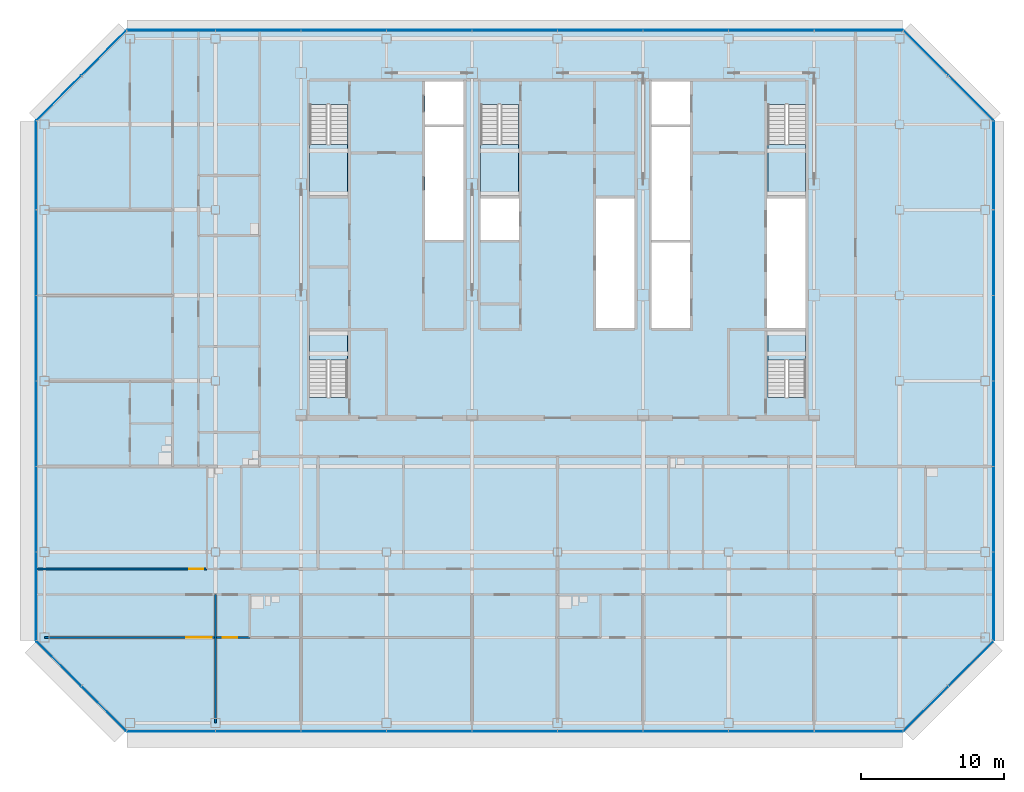
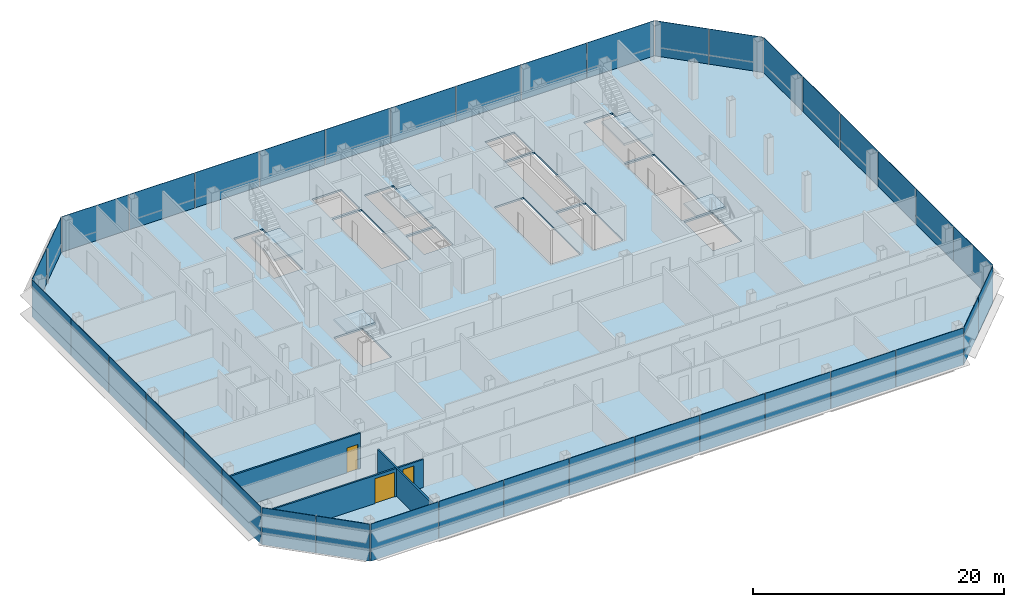
# One storey, part 19 of 26: 38 plates, 6 slabs, 3 doors, 3 walls, 3 openings, 13 elements without a shape of their own.
"""IFC4 building model written with IfcOpenShell, lengths in metres."""

from ifc_helpers import new_model, si_unit, direction, frame, frame_2d, origin, origin_2d, place, context, subcontext, project, spatial, polyline, rectangle, outline, extrude, material, layer, layer_set, type_object, element, fill, aggregate, save


model = new_model("IFC4")

# Units and contexts
model_context = context("Model", 3, precision=1e-05, world=origin(), true_north=direction((0.0, 1.0)))
body_context = subcontext(model_context, "Body", "Model", "MODEL_VIEW")
ifc_project = project(units=[si_unit("LENGTHUNIT", "METRE"), si_unit("AREAUNIT", "SQUARE_METRE"), si_unit("VOLUMEUNIT", "CUBIC_METRE"), si_unit("PLANEANGLEUNIT", "RADIAN"), si_unit("MASSUNIT", "GRAM", prefix="KILO")], contexts=[model_context])

# Site, building, storey
site_placement = place(None, origin())
site = spatial("IfcSite", under=ifc_project, at=site_placement, CompositionType="ELEMENT")
building_placement = place(site_placement, origin())
building = spatial("IfcBuilding", under=site, at=building_placement, Name="Sorahane Residences", CompositionType="ELEMENT")
storey_placement = place(building_placement, frame((0.0, 0.0, 222.60009765625)))
storey = spatial("IfcBuildingStorey", under=building, at=storey_placement, Name="L52", CompositionType="ELEMENT", Elevation=222.60009765625)

# Slab
ifc_material_1 = material(Name="Concrete C35", Category="concrete")
ifc_layer_1 = layer(ifc_material_1, 0.179931640625)
ifc_layer_set_1 = layer_set([ifc_layer_1], Name="Composite floor slab 180 mm Concrete C35")
slab_type_1 = type_object("IfcSlabType", Name="Composite floor slab 180 mm Concrete C35", PredefinedType="FLOOR", material=ifc_layer_set_1)
slab_1_placement = place(storey_placement, frame((0.0, 0.0, -0.18017578125)))
element("IfcSlab", 1, at=slab_1_placement, inside=storey, type_object=slab_type_1, Name="Slab L52", PredefinedType="FLOOR", context=body_context, shape_type="SweptSolid", body=[
    extrude(outline(polyline([(-6.24853515625, -0.60009765625), (-12.60009765625, 5.75146484375), (-12.60009765625, 42.24853515625), (-6.24853515625, 48.60009765625), (48.24853515625, 48.60009765625), (54.60009765625, 42.24853515625), (54.60009765625, 5.75146484375), (48.24853515625, -0.60009765625), (-6.24853515625, -0.60009765625)]), holes=[polyline([(38.699951171875, 27.699951171875), (41.39990234375, 27.699951171875), (41.39990234375, 36.800048828125), (38.699951171875, 36.800048828125), (38.699951171875, 27.699951171875)]), polyline([(30.60009765625, 27.699951171875), (33.300048828125, 27.699951171875), (33.300048828125, 33.699951171875), (30.60009765625, 33.699951171875), (30.60009765625, 27.699951171875)]), polyline([(30.60009765625, 42.0), (33.300048828125, 42.0), (33.300048828125, 45.0), (30.60009765625, 45.0), (30.60009765625, 42.0)]), polyline([(14.699951171875, 42.0), (17.39990234375, 42.0), (17.39990234375, 45.0), (14.699951171875, 45.0), (14.699951171875, 42.0)]), polyline([(6.60009765625, 43.39990234375), (6.60009765625, 37.0), (9.25, 37.0), (9.25, 43.39990234375), (6.60009765625, 43.39990234375)]), polyline([(38.75, 43.39990234375), (38.75, 37.0), (41.39990234375, 37.0), (41.39990234375, 43.39990234375), (38.75, 43.39990234375)]), polyline([(18.60009765625, 43.39990234375), (18.60009765625, 37.0), (21.25, 37.0), (21.25, 43.39990234375), (18.60009765625, 43.39990234375)]), polyline([(9.25, 22.85009765625), (9.25, 27.5), (6.60009765625, 27.5), (6.60009765625, 22.85009765625), (9.25, 22.85009765625)]), polyline([(41.39990234375, 22.85009765625), (41.39990234375, 27.5), (38.75, 27.5), (38.75, 22.85009765625), (41.39990234375, 22.85009765625)]), polyline([(14.699951171875, 33.89990234375), (17.39990234375, 33.89990234375), (17.39990234375, 41.800048828125), (14.699951171875, 41.800048828125), (14.699951171875, 33.89990234375)]), polyline([(30.60009765625, 33.89990234375), (33.300048828125, 33.89990234375), (33.300048828125, 41.800048828125), (30.60009765625, 41.800048828125), (30.60009765625, 33.89990234375)]), polyline([(18.60009765625, 33.89990234375), (21.300048828125, 33.89990234375), (21.300048828125, 36.800048828125), (18.60009765625, 36.800048828125), (18.60009765625, 33.89990234375)]), polyline([(26.699951171875, 27.699951171875), (29.39990234375, 27.699951171875), (29.39990234375, 36.800048828125), (26.699951171875, 36.800048828125), (26.699951171875, 27.699951171875)])]), origin(), (0.0, 0.0, 1.0), 0.18017578125),
])

# Curtain wall, plates
ifc_material_2 = material(Name="Dark low-e glass and black anodised aluminium", Category="aluminium")
curtain_wall_type_1 = type_object("IfcCurtainWallType", Name="Curtain wall CW-1 Typical unitised wall", PredefinedType="NOTDEFINED", material=ifc_material_2)
curtain_wall_1_placement = place(storey_placement, origin())
curtain_wall_1 = element("IfcCurtainWall", 2, at=curtain_wall_1_placement, inside=storey, type_object=curtain_wall_type_1, Name="CW-1 curtain wall L52 S1", PredefinedType="NOTDEFINED")
ifc_material_3 = material(Name="Dark low-e glass with black ceramic frit", Category="glass")
ifc_layer_2 = layer(ifc_material_3, 0.0400390625)
ifc_layer_set_2 = layer_set([ifc_layer_2], Name="Curtain wall glass panel dark low-e with black frit spandrel band")
plate_type = type_object("IfcPlateType", Name="Curtain wall glass panel dark low-e with black frit spandrel band", PredefinedType="CURTAIN_PANEL", material=ifc_layer_set_2)
plate_1_placement = place(storey_placement, frame((-3.11181640625, -0.60009765625, -0.18017578125), z_axis=(0.0, 0.0, 1.0), x_axis=(1.0, 0.0, 0.0)))
plate_1 = element("IfcPlate", 3, at=plate_1_placement, type_object=plate_type, Name="CW-1 glass panel L52 S1.1", PredefinedType="CURTAIN_PANEL", context=body_context, shape_type="SweptSolid", body=[
    extrude(rectangle(XDim=6.173583984375, YDim=0.0400390625, at=origin_2d()), origin(), (0.0, 0.0, 1.0), 3.60009765625),
])
plate_2_placement = place(storey_placement, frame((3.0, -0.60009765625, -0.18017578125), z_axis=(0.0, 0.0, 1.0), x_axis=(1.0, 0.0, 0.0)))
plate_2 = element("IfcPlate", 4, at=plate_2_placement, type_object=plate_type, Name="CW-1 glass panel L52 S1.2", PredefinedType="CURTAIN_PANEL", context=body_context, shape_type="SweptSolid", body=[
    extrude(rectangle(XDim=5.949951171875, YDim=0.0400390625, at=origin_2d()), origin(), (0.0, 0.0, 1.0), 3.60009765625),
])
plate_3_placement = place(storey_placement, frame((9.0, -0.60009765625, -0.18017578125), z_axis=(0.0, 0.0, 1.0), x_axis=(1.0, 0.0, 0.0)))
plate_3 = element("IfcPlate", 5, at=plate_3_placement, type_object=plate_type, Name="CW-1 glass panel L52 S1.3", PredefinedType="CURTAIN_PANEL", context=body_context, shape_type="SweptSolid", body=[
    extrude(rectangle(XDim=5.949951171875, YDim=0.0400390625, at=origin_2d()), origin(), (0.0, 0.0, 1.0), 3.60009765625),
])
plate_4_placement = place(storey_placement, frame((15.0, -0.60009765625, -0.18017578125), z_axis=(0.0, 0.0, 1.0), x_axis=(1.0, 0.0, 0.0)))
plate_4 = element("IfcPlate", 6, at=plate_4_placement, type_object=plate_type, Name="CW-1 glass panel L52 S1.4", PredefinedType="CURTAIN_PANEL", context=body_context, shape_type="SweptSolid", body=[
    extrude(rectangle(XDim=5.949951171875, YDim=0.0400390625, at=origin_2d()), origin(), (0.0, 0.0, 1.0), 3.60009765625),
])
plate_5_placement = place(storey_placement, frame((21.0, -0.60009765625, -0.18017578125), z_axis=(0.0, 0.0, 1.0), x_axis=(1.0, 0.0, 0.0)))
plate_5 = element("IfcPlate", 7, at=plate_5_placement, type_object=plate_type, Name="CW-1 glass panel L52 S1.5", PredefinedType="CURTAIN_PANEL", context=body_context, shape_type="SweptSolid", body=[
    extrude(rectangle(XDim=5.949951171875, YDim=0.0400390625, at=origin_2d()), origin(), (0.0, 0.0, 1.0), 3.60009765625),
])
plate_6_placement = place(storey_placement, frame((27.0, -0.60009765625, -0.18017578125), z_axis=(0.0, 0.0, 1.0), x_axis=(1.0, 0.0, 0.0)))
plate_6 = element("IfcPlate", 8, at=plate_6_placement, type_object=plate_type, Name="CW-1 glass panel L52 S1.6", PredefinedType="CURTAIN_PANEL", context=body_context, shape_type="SweptSolid", body=[
    extrude(rectangle(XDim=5.949951171875, YDim=0.0400390625, at=origin_2d()), origin(), (0.0, 0.0, 1.0), 3.60009765625),
])
plate_7_placement = place(storey_placement, frame((33.0, -0.60009765625, -0.18017578125), z_axis=(0.0, 0.0, 1.0), x_axis=(1.0, 0.0, 0.0)))
plate_7 = element("IfcPlate", 9, at=plate_7_placement, type_object=plate_type, Name="CW-1 glass panel L52 S1.7", PredefinedType="CURTAIN_PANEL", context=body_context, shape_type="SweptSolid", body=[
    extrude(rectangle(XDim=5.949951171875, YDim=0.0400390625, at=origin_2d()), origin(), (0.0, 0.0, 1.0), 3.60009765625),
])
plate_8_placement = place(storey_placement, frame((39.0, -0.60009765625, -0.18017578125), z_axis=(0.0, 0.0, 1.0), x_axis=(1.0, 0.0, 0.0)))
plate_8 = element("IfcPlate", 10, at=plate_8_placement, type_object=plate_type, Name="CW-1 glass panel L52 S1.8", PredefinedType="CURTAIN_PANEL", context=body_context, shape_type="SweptSolid", body=[
    extrude(rectangle(XDim=5.949951171875, YDim=0.0400390625, at=origin_2d()), origin(), (0.0, 0.0, 1.0), 3.60009765625),
])
plate_9_placement = place(storey_placement, frame((45.11181640625, -0.60009765625, -0.18017578125), z_axis=(0.0, 0.0, 1.0), x_axis=(1.0, 0.0, 0.0)))
plate_9 = element("IfcPlate", 11, at=plate_9_placement, type_object=plate_type, Name="CW-1 glass panel L52 S1.9", PredefinedType="CURTAIN_PANEL", context=body_context, shape_type="SweptSolid", body=[
    extrude(rectangle(XDim=6.173583984375, YDim=0.0400390625, at=origin_2d()), origin(), (0.0, 0.0, 1.0), 3.60009765625),
])
aggregate(curtain_wall_1, [plate_1, plate_2, plate_3, plate_4, plate_5, plate_6, plate_7, plate_8, plate_9])

ifc_material_4 = material(Name="Dark low-e glass and black anodised aluminium", Category="aluminium")
curtain_wall_type_2 = type_object("IfcCurtainWallType", Name="Curtain wall CW-2 Chamfer unitised wall", PredefinedType="NOTDEFINED", material=ifc_material_4)
curtain_wall_2_placement = place(storey_placement, origin())
curtain_wall_2 = element("IfcCurtainWall", 12, at=curtain_wall_2_placement, inside=storey, type_object=curtain_wall_type_2, Name="CW-2 curtain wall L52 SE1", PredefinedType="NOTDEFINED")
plate_10_placement = place(storey_placement, frame((49.84521484375, 0.996826171875, -0.18017578125), z_axis=(0.0, 0.0, 1.0), x_axis=(0.707106781187, 0.707106781187, 0.0)))
plate_10 = element("IfcPlate", 13, at=plate_10_placement, type_object=plate_type, Name="CW-2 glass panel L52 SE1.1", PredefinedType="CURTAIN_PANEL", context=body_context, shape_type="SweptSolid", body=[
    extrude(rectangle(XDim=4.416259765625, YDim=0.0400390625, at=origin_2d()), origin(), (0.0, 0.0, 1.0), 3.60009765625),
])
plate_11_placement = place(storey_placement, frame((53.003173828125, 4.15478515625, -0.18017578125), z_axis=(0.0, 0.0, 1.0), x_axis=(0.707106781187, 0.707106781187, 0.0)))
plate_11 = element("IfcPlate", 14, at=plate_11_placement, type_object=plate_type, Name="CW-2 glass panel L52 SE1.2", PredefinedType="CURTAIN_PANEL", context=body_context, shape_type="SweptSolid", body=[
    extrude(rectangle(XDim=4.416259765625, YDim=0.0400390625, at=origin_2d()), origin(), (0.0, 0.0, 1.0), 3.60009765625),
])
aggregate(curtain_wall_2, [plate_10, plate_11])

curtain_wall_3_placement = place(storey_placement, origin())
curtain_wall_3 = element("IfcCurtainWall", 15, at=curtain_wall_3_placement, inside=storey, type_object=curtain_wall_type_1, Name="CW-1 curtain wall L52 E1", PredefinedType="NOTDEFINED")
plate_12_placement = place(storey_placement, frame((54.60009765625, 8.88818359375, -0.18017578125), z_axis=(0.0, 0.0, 1.0), x_axis=(0.0, 1.0, 0.0)))
plate_12 = element("IfcPlate", 16, at=plate_12_placement, type_object=plate_type, Name="CW-1 glass panel L52 E1.1", PredefinedType="CURTAIN_PANEL", context=body_context, shape_type="SweptSolid", body=[
    extrude(rectangle(XDim=6.173583984375, YDim=0.0400390625, at=origin_2d()), origin(), (0.0, 0.0, 1.0), 3.60009765625),
])
plate_13_placement = place(storey_placement, frame((54.60009765625, 15.0, -0.18017578125), z_axis=(0.0, 0.0, 1.0), x_axis=(0.0, 1.0, 0.0)))
plate_13 = element("IfcPlate", 17, at=plate_13_placement, type_object=plate_type, Name="CW-1 glass panel L52 E1.2", PredefinedType="CURTAIN_PANEL", context=body_context, shape_type="SweptSolid", body=[
    extrude(rectangle(XDim=5.949951171875, YDim=0.0400390625, at=origin_2d()), origin(), (0.0, 0.0, 1.0), 3.60009765625),
])
plate_14_placement = place(storey_placement, frame((54.60009765625, 21.0, -0.18017578125), z_axis=(0.0, 0.0, 1.0), x_axis=(0.0, 1.0, 0.0)))
plate_14 = element("IfcPlate", 18, at=plate_14_placement, type_object=plate_type, Name="CW-1 glass panel L52 E1.3", PredefinedType="CURTAIN_PANEL", context=body_context, shape_type="SweptSolid", body=[
    extrude(rectangle(XDim=5.949951171875, YDim=0.0400390625, at=origin_2d()), origin(), (0.0, 0.0, 1.0), 3.60009765625),
])
plate_15_placement = place(storey_placement, frame((54.60009765625, 27.0, -0.18017578125), z_axis=(0.0, 0.0, 1.0), x_axis=(0.0, 1.0, 0.0)))
plate_15 = element("IfcPlate", 19, at=plate_15_placement, type_object=plate_type, Name="CW-1 glass panel L52 E1.4", PredefinedType="CURTAIN_PANEL", context=body_context, shape_type="SweptSolid", body=[
    extrude(rectangle(XDim=5.949951171875, YDim=0.0400390625, at=origin_2d()), origin(), (0.0, 0.0, 1.0), 3.60009765625),
])
plate_16_placement = place(storey_placement, frame((54.60009765625, 33.0, -0.18017578125), z_axis=(0.0, 0.0, 1.0), x_axis=(0.0, 1.0, 0.0)))
plate_16 = element("IfcPlate", 20, at=plate_16_placement, type_object=plate_type, Name="CW-1 glass panel L52 E1.5", PredefinedType="CURTAIN_PANEL", context=body_context, shape_type="SweptSolid", body=[
    extrude(rectangle(XDim=5.949951171875, YDim=0.0400390625, at=origin_2d()), origin(), (0.0, 0.0, 1.0), 3.60009765625),
])
plate_17_placement = place(storey_placement, frame((54.60009765625, 39.11181640625, -0.18017578125), z_axis=(0.0, 0.0, 1.0), x_axis=(0.0, 1.0, 0.0)))
plate_17 = element("IfcPlate", 21, at=plate_17_placement, type_object=plate_type, Name="CW-1 glass panel L52 E1.6", PredefinedType="CURTAIN_PANEL", context=body_context, shape_type="SweptSolid", body=[
    extrude(rectangle(XDim=6.173583984375, YDim=0.0400390625, at=origin_2d()), origin(), (0.0, 0.0, 1.0), 3.60009765625),
])
aggregate(curtain_wall_3, [plate_12, plate_13, plate_14, plate_15, plate_16, plate_17])

curtain_wall_4_placement = place(storey_placement, origin())
curtain_wall_4 = element("IfcCurtainWall", 22, at=curtain_wall_4_placement, inside=storey, type_object=curtain_wall_type_2, Name="CW-2 curtain wall L52 NE1", PredefinedType="NOTDEFINED")
plate_18_placement = place(storey_placement, frame((53.003173828125, 43.84521484375, -0.18017578125), z_axis=(0.0, 0.0, 1.0), x_axis=(-0.707106781187, 0.707106781187, 0.0)))
plate_18 = element("IfcPlate", 23, at=plate_18_placement, type_object=plate_type, Name="CW-2 glass panel L52 NE1.1", PredefinedType="CURTAIN_PANEL", context=body_context, shape_type="SweptSolid", body=[
    extrude(rectangle(XDim=4.416259765625, YDim=0.0400390625, at=origin_2d()), origin(), (0.0, 0.0, 1.0), 3.60009765625),
])
plate_19_placement = place(storey_placement, frame((49.84521484375, 47.003173828125, -0.18017578125), z_axis=(0.0, 0.0, 1.0), x_axis=(-0.707106781187, 0.707106781187, 0.0)))
plate_19 = element("IfcPlate", 24, at=plate_19_placement, type_object=plate_type, Name="CW-2 glass panel L52 NE1.2", PredefinedType="CURTAIN_PANEL", context=body_context, shape_type="SweptSolid", body=[
    extrude(rectangle(XDim=4.416259765625, YDim=0.0400390625, at=origin_2d()), origin(), (0.0, 0.0, 1.0), 3.60009765625),
])
aggregate(curtain_wall_4, [plate_18, plate_19])

curtain_wall_5_placement = place(storey_placement, origin())
curtain_wall_5 = element("IfcCurtainWall", 25, at=curtain_wall_5_placement, inside=storey, type_object=curtain_wall_type_1, Name="CW-1 curtain wall L52 N1", PredefinedType="NOTDEFINED")
plate_20_placement = place(storey_placement, frame((45.11181640625, 48.60009765625, -0.18017578125), z_axis=(0.0, 0.0, 1.0), x_axis=(-1.0, 0.0, 0.0)))
plate_20 = element("IfcPlate", 26, at=plate_20_placement, type_object=plate_type, Name="CW-1 glass panel L52 N1.1", PredefinedType="CURTAIN_PANEL", context=body_context, shape_type="SweptSolid", body=[
    extrude(rectangle(XDim=6.173583984375, YDim=0.0400390625, at=origin_2d()), origin(), (0.0, 0.0, 1.0), 3.60009765625),
])
plate_21_placement = place(storey_placement, frame((39.0, 48.60009765625, -0.18017578125), z_axis=(0.0, 0.0, 1.0), x_axis=(-1.0, 0.0, 0.0)))
plate_21 = element("IfcPlate", 27, at=plate_21_placement, type_object=plate_type, Name="CW-1 glass panel L52 N1.2", PredefinedType="CURTAIN_PANEL", context=body_context, shape_type="SweptSolid", body=[
    extrude(rectangle(XDim=5.949951171875, YDim=0.0400390625, at=origin_2d()), origin(), (0.0, 0.0, 1.0), 3.60009765625),
])
plate_22_placement = place(storey_placement, frame((33.0, 48.60009765625, -0.18017578125), z_axis=(0.0, 0.0, 1.0), x_axis=(-1.0, 0.0, 0.0)))
plate_22 = element("IfcPlate", 28, at=plate_22_placement, type_object=plate_type, Name="CW-1 glass panel L52 N1.3", PredefinedType="CURTAIN_PANEL", context=body_context, shape_type="SweptSolid", body=[
    extrude(rectangle(XDim=5.949951171875, YDim=0.0400390625, at=origin_2d()), origin(), (0.0, 0.0, 1.0), 3.60009765625),
])
plate_23_placement = place(storey_placement, frame((27.0, 48.60009765625, -0.18017578125), z_axis=(0.0, 0.0, 1.0), x_axis=(-1.0, 0.0, 0.0)))
plate_23 = element("IfcPlate", 29, at=plate_23_placement, type_object=plate_type, Name="CW-1 glass panel L52 N1.4", PredefinedType="CURTAIN_PANEL", context=body_context, shape_type="SweptSolid", body=[
    extrude(rectangle(XDim=5.949951171875, YDim=0.0400390625, at=origin_2d()), origin(), (0.0, 0.0, 1.0), 3.60009765625),
])
plate_24_placement = place(storey_placement, frame((21.0, 48.60009765625, -0.18017578125), z_axis=(0.0, 0.0, 1.0), x_axis=(-1.0, 0.0, 0.0)))
plate_24 = element("IfcPlate", 30, at=plate_24_placement, type_object=plate_type, Name="CW-1 glass panel L52 N1.5", PredefinedType="CURTAIN_PANEL", context=body_context, shape_type="SweptSolid", body=[
    extrude(rectangle(XDim=5.949951171875, YDim=0.0400390625, at=origin_2d()), origin(), (0.0, 0.0, 1.0), 3.60009765625),
])
plate_25_placement = place(storey_placement, frame((15.0, 48.60009765625, -0.18017578125), z_axis=(0.0, 0.0, 1.0), x_axis=(-1.0, 0.0, 0.0)))
plate_25 = element("IfcPlate", 31, at=plate_25_placement, type_object=plate_type, Name="CW-1 glass panel L52 N1.6", PredefinedType="CURTAIN_PANEL", context=body_context, shape_type="SweptSolid", body=[
    extrude(rectangle(XDim=5.949951171875, YDim=0.0400390625, at=origin_2d()), origin(), (0.0, 0.0, 1.0), 3.60009765625),
])
plate_26_placement = place(storey_placement, frame((9.0, 48.60009765625, -0.18017578125), z_axis=(0.0, 0.0, 1.0), x_axis=(-1.0, 0.0, 0.0)))
plate_26 = element("IfcPlate", 32, at=plate_26_placement, type_object=plate_type, Name="CW-1 glass panel L52 N1.7", PredefinedType="CURTAIN_PANEL", context=body_context, shape_type="SweptSolid", body=[
    extrude(rectangle(XDim=5.949951171875, YDim=0.0400390625, at=origin_2d()), origin(), (0.0, 0.0, 1.0), 3.60009765625),
])
plate_27_placement = place(storey_placement, frame((3.0, 48.60009765625, -0.18017578125), z_axis=(0.0, 0.0, 1.0), x_axis=(-1.0, 0.0, 0.0)))
plate_27 = element("IfcPlate", 33, at=plate_27_placement, type_object=plate_type, Name="CW-1 glass panel L52 N1.8", PredefinedType="CURTAIN_PANEL", context=body_context, shape_type="SweptSolid", body=[
    extrude(rectangle(XDim=5.949951171875, YDim=0.0400390625, at=origin_2d()), origin(), (0.0, 0.0, 1.0), 3.60009765625),
])
plate_28_placement = place(storey_placement, frame((-3.11181640625, 48.60009765625, -0.18017578125), z_axis=(0.0, 0.0, 1.0), x_axis=(-1.0, 0.0, 0.0)))
plate_28 = element("IfcPlate", 34, at=plate_28_placement, type_object=plate_type, Name="CW-1 glass panel L52 N1.9", PredefinedType="CURTAIN_PANEL", context=body_context, shape_type="SweptSolid", body=[
    extrude(rectangle(XDim=6.173583984375, YDim=0.0400390625, at=origin_2d()), origin(), (0.0, 0.0, 1.0), 3.60009765625),
])
aggregate(curtain_wall_5, [plate_20, plate_21, plate_22, plate_23, plate_24, plate_25, plate_26, plate_27, plate_28])

curtain_wall_6_placement = place(storey_placement, origin())
curtain_wall_6 = element("IfcCurtainWall", 35, at=curtain_wall_6_placement, inside=storey, type_object=curtain_wall_type_2, Name="CW-2 curtain wall L52 NW1", PredefinedType="NOTDEFINED")
plate_29_placement = place(storey_placement, frame((-7.84521484375, 47.003173828125, -0.18017578125), z_axis=(0.0, 0.0, 1.0), x_axis=(-0.707106781187, -0.707106781187, 0.0)))
plate_29 = element("IfcPlate", 36, at=plate_29_placement, type_object=plate_type, Name="CW-2 glass panel L52 NW1.1", PredefinedType="CURTAIN_PANEL", context=body_context, shape_type="SweptSolid", body=[
    extrude(rectangle(XDim=4.416259765625, YDim=0.0400390625, at=origin_2d()), origin(), (0.0, 0.0, 1.0), 3.60009765625),
])
plate_30_placement = place(storey_placement, frame((-11.003173828125, 43.84521484375, -0.18017578125), z_axis=(0.0, 0.0, 1.0), x_axis=(-0.707106781187, -0.707106781187, 0.0)))
plate_30 = element("IfcPlate", 37, at=plate_30_placement, type_object=plate_type, Name="CW-2 glass panel L52 NW1.2", PredefinedType="CURTAIN_PANEL", context=body_context, shape_type="SweptSolid", body=[
    extrude(rectangle(XDim=4.416259765625, YDim=0.0400390625, at=origin_2d()), origin(), (0.0, 0.0, 1.0), 3.60009765625),
])
aggregate(curtain_wall_6, [plate_29, plate_30])

curtain_wall_7_placement = place(storey_placement, origin())
curtain_wall_7 = element("IfcCurtainWall", 38, at=curtain_wall_7_placement, inside=storey, type_object=curtain_wall_type_1, Name="CW-1 curtain wall L52 W1", PredefinedType="NOTDEFINED")
plate_31_placement = place(storey_placement, frame((-12.60009765625, 39.11181640625, -0.18017578125), z_axis=(0.0, 0.0, 1.0), x_axis=(0.0, -1.0, 0.0)))
plate_31 = element("IfcPlate", 39, at=plate_31_placement, type_object=plate_type, Name="CW-1 glass panel L52 W1.1", PredefinedType="CURTAIN_PANEL", context=body_context, shape_type="SweptSolid", body=[
    extrude(rectangle(XDim=6.173583984375, YDim=0.0400390625, at=origin_2d()), origin(), (0.0, 0.0, 1.0), 3.60009765625),
])
plate_32_placement = place(storey_placement, frame((-12.60009765625, 33.0, -0.18017578125), z_axis=(0.0, 0.0, 1.0), x_axis=(0.0, -1.0, 0.0)))
plate_32 = element("IfcPlate", 40, at=plate_32_placement, type_object=plate_type, Name="CW-1 glass panel L52 W1.2", PredefinedType="CURTAIN_PANEL", context=body_context, shape_type="SweptSolid", body=[
    extrude(rectangle(XDim=5.949951171875, YDim=0.0400390625, at=origin_2d()), origin(), (0.0, 0.0, 1.0), 3.60009765625),
])
plate_33_placement = place(storey_placement, frame((-12.60009765625, 27.0, -0.18017578125), z_axis=(0.0, 0.0, 1.0), x_axis=(0.0, -1.0, 0.0)))
plate_33 = element("IfcPlate", 41, at=plate_33_placement, type_object=plate_type, Name="CW-1 glass panel L52 W1.3", PredefinedType="CURTAIN_PANEL", context=body_context, shape_type="SweptSolid", body=[
    extrude(rectangle(XDim=5.949951171875, YDim=0.0400390625, at=origin_2d()), origin(), (0.0, 0.0, 1.0), 3.60009765625),
])
plate_34_placement = place(storey_placement, frame((-12.60009765625, 21.0, -0.18017578125), z_axis=(0.0, 0.0, 1.0), x_axis=(0.0, -1.0, 0.0)))
plate_34 = element("IfcPlate", 42, at=plate_34_placement, type_object=plate_type, Name="CW-1 glass panel L52 W1.4", PredefinedType="CURTAIN_PANEL", context=body_context, shape_type="SweptSolid", body=[
    extrude(rectangle(XDim=5.949951171875, YDim=0.0400390625, at=origin_2d()), origin(), (0.0, 0.0, 1.0), 3.60009765625),
])
plate_35_placement = place(storey_placement, frame((-12.60009765625, 15.0, -0.18017578125), z_axis=(0.0, 0.0, 1.0), x_axis=(0.0, -1.0, 0.0)))
plate_35 = element("IfcPlate", 43, at=plate_35_placement, type_object=plate_type, Name="CW-1 glass panel L52 W1.5", PredefinedType="CURTAIN_PANEL", context=body_context, shape_type="SweptSolid", body=[
    extrude(rectangle(XDim=5.949951171875, YDim=0.0400390625, at=origin_2d()), origin(), (0.0, 0.0, 1.0), 3.60009765625),
])
plate_36_placement = place(storey_placement, frame((-12.60009765625, 8.88818359375, -0.18017578125), z_axis=(0.0, 0.0, 1.0), x_axis=(0.0, -1.0, 0.0)))
plate_36 = element("IfcPlate", 44, at=plate_36_placement, type_object=plate_type, Name="CW-1 glass panel L52 W1.6", PredefinedType="CURTAIN_PANEL", context=body_context, shape_type="SweptSolid", body=[
    extrude(rectangle(XDim=6.173583984375, YDim=0.0400390625, at=origin_2d()), origin(), (0.0, 0.0, 1.0), 3.60009765625),
])
aggregate(curtain_wall_7, [plate_31, plate_32, plate_33, plate_34, plate_35, plate_36])

curtain_wall_8_placement = place(storey_placement, origin())
curtain_wall_8 = element("IfcCurtainWall", 45, at=curtain_wall_8_placement, inside=storey, type_object=curtain_wall_type_2, Name="CW-2 curtain wall L52 SW1", PredefinedType="NOTDEFINED")
plate_37_placement = place(storey_placement, frame((-11.003173828125, 4.15478515625, -0.18017578125), z_axis=(0.0, 0.0, 1.0), x_axis=(0.707106781187, -0.707106781187, 0.0)))
plate_37 = element("IfcPlate", 46, at=plate_37_placement, type_object=plate_type, Name="CW-2 glass panel L52 SW1.1", PredefinedType="CURTAIN_PANEL", context=body_context, shape_type="SweptSolid", body=[
    extrude(rectangle(XDim=4.416259765625, YDim=0.0400390625, at=origin_2d()), origin(), (0.0, 0.0, 1.0), 3.60009765625),
])
plate_38_placement = place(storey_placement, frame((-7.84521484375, 0.996826171875, -0.18017578125), z_axis=(0.0, 0.0, 1.0), x_axis=(0.707106781187, -0.707106781187, 0.0)))
plate_38 = element("IfcPlate", 47, at=plate_38_placement, type_object=plate_type, Name="CW-2 glass panel L52 SW1.2", PredefinedType="CURTAIN_PANEL", context=body_context, shape_type="SweptSolid", body=[
    extrude(rectangle(XDim=4.416259765625, YDim=0.0400390625, at=origin_2d()), origin(), (0.0, 0.0, 1.0), 3.60009765625),
])
aggregate(curtain_wall_8, [plate_37, plate_38])

# Stair, slab
ifc_material_5 = material(Name="Concrete C40", Category="concrete")
stair_type = type_object("IfcStairType", Name="Dog-leg stair 1250 Concrete C40", PredefinedType="HALF_TURN_STAIR", material=ifc_material_5)
stair_1_placement = place(storey_placement, origin())
stair_1 = element("IfcStair", 48, at=stair_1_placement, inside=storey, type_object=stair_type, Name="L52 Stair S1", PredefinedType="HALF_TURN_STAIR")
ifc_material_6 = material(Name="Concrete C40", Category="concrete")
ifc_layer_3 = layer(ifc_material_6, 0.199951171875)
ifc_layer_set_3 = layer_set([ifc_layer_3], Name="Stair landing 200 Concrete C40")
slab_type_2 = type_object("IfcSlabType", Name="Stair landing 200 Concrete C40", PredefinedType="LANDING", material=ifc_layer_set_3)
slab_2_placement = place(storey_placement, frame((0.0, 0.0, 1.599853515625)))
slab_2 = element("IfcSlab", 49, at=slab_2_placement, type_object=slab_type_2, Name="S1 landing 1", PredefinedType="LANDING", context=body_context, shape_type="SweptSolid", body=[
    extrude(outline(polyline([(6.60009765625, 40.60009765625), (6.60009765625, 37.0), (9.25, 37.0), (9.25, 40.60009765625), (6.60009765625, 40.60009765625)])), origin(), (0.0, 0.0, 1.0), 0.199951171875),
])
aggregate(stair_1, [slab_2])

stair_2_placement = place(storey_placement, origin())
stair_2 = element("IfcStair", 50, at=stair_2_placement, inside=storey, type_object=stair_type, Name="L52 Stair S2", PredefinedType="HALF_TURN_STAIR")
slab_3_placement = place(storey_placement, frame((0.0, 0.0, 1.599853515625)))
slab_3 = element("IfcSlab", 51, at=slab_3_placement, type_object=slab_type_2, Name="S2 landing 1", PredefinedType="LANDING", context=body_context, shape_type="SweptSolid", body=[
    extrude(outline(polyline([(38.75, 40.60009765625), (38.75, 37.0), (41.39990234375, 37.0), (41.39990234375, 40.60009765625), (38.75, 40.60009765625)])), origin(), (0.0, 0.0, 1.0), 0.199951171875),
])
aggregate(stair_2, [slab_3])

stair_3_placement = place(storey_placement, origin())
stair_3 = element("IfcStair", 52, at=stair_3_placement, inside=storey, type_object=stair_type, Name="L52 Stair S3", PredefinedType="HALF_TURN_STAIR")
slab_4_placement = place(storey_placement, frame((0.0, 0.0, 1.599853515625)))
slab_4 = element("IfcSlab", 53, at=slab_4_placement, type_object=slab_type_2, Name="S3 landing 1", PredefinedType="LANDING", context=body_context, shape_type="SweptSolid", body=[
    extrude(outline(polyline([(18.60009765625, 40.60009765625), (18.60009765625, 37.0), (21.25, 37.0), (21.25, 40.60009765625), (18.60009765625, 40.60009765625)])), origin(), (0.0, 0.0, 1.0), 0.199951171875),
])
aggregate(stair_3, [slab_4])

stair_4_placement = place(storey_placement, origin())
stair_4 = element("IfcStair", 54, at=stair_4_placement, inside=storey, type_object=stair_type, Name="L52 Stair S4", PredefinedType="HALF_TURN_STAIR")
slab_5_placement = place(storey_placement, frame((0.0, 0.0, 1.599853515625)))
slab_5 = element("IfcSlab", 55, at=slab_5_placement, type_object=slab_type_2, Name="S4 landing 1", PredefinedType="LANDING", context=body_context, shape_type="SweptSolid", body=[
    extrude(outline(polyline([(9.25, 25.449951171875), (9.25, 27.5), (6.60009765625, 27.5), (6.60009765625, 25.449951171875), (9.25, 25.449951171875)])), origin(), (0.0, 0.0, 1.0), 0.199951171875),
])
aggregate(stair_4, [slab_5])

stair_5_placement = place(storey_placement, origin())
stair_5 = element("IfcStair", 56, at=stair_5_placement, inside=storey, type_object=stair_type, Name="L52 Stair S5", PredefinedType="HALF_TURN_STAIR")
slab_6_placement = place(storey_placement, frame((0.0, 0.0, 1.599853515625)))
slab_6 = element("IfcSlab", 57, at=slab_6_placement, type_object=slab_type_2, Name="S5 landing 1", PredefinedType="LANDING", context=body_context, shape_type="SweptSolid", body=[
    extrude(outline(polyline([(41.39990234375, 25.449951171875), (41.39990234375, 27.5), (38.75, 27.5), (38.75, 25.449951171875), (41.39990234375, 25.449951171875)])), origin(), (0.0, 0.0, 1.0), 0.199951171875),
])
aggregate(stair_5, [slab_6])

# Wall
ifc_material_7 = material(Name="Gypsum board partition on steel studs", Category="steel")
ifc_layer_4 = layer(ifc_material_7, 0.14990234375)
ifc_layer_set_4 = layer_set([ifc_layer_4], Name="Partition 150 EI 90")
wall_type = type_object("IfcWallType", Name="Partition 150 EI 90", PredefinedType="PARTITIONING", material=ifc_layer_set_4)
wall_1_placement = place(storey_placement, frame((0.0, 0.0, 0.0), z_axis=(0.0, 0.0, 1.0), x_axis=(0.0, 1.0, 0.0)))
element("IfcWall", 58, at=wall_1_placement, inside=storey, type_object=wall_type, Name="L52 partition", PredefinedType="PARTITIONING", context=body_context, shape_type="SweptSolid", body=[
    extrude(rectangle(XDim=9.0, YDim=0.14990234375, at=frame_2d((4.5, 0.0))), origin(), (0.0, 0.0, 1.0), 2.719970703125),
])

# Wall, opening, door
wall_2_placement = place(storey_placement, frame((-12.60009765625, 10.800048828125, 0.0), z_axis=(0.0, 0.0, 1.0), x_axis=(1.0, 0.0, 0.0)))
wall_2 = element("IfcWall", 59, at=wall_2_placement, inside=storey, type_object=wall_type, Name="L52 partition", PredefinedType="PARTITIONING", context=body_context, shape_type="SweptSolid", body=[
    extrude(rectangle(XDim=12.0, YDim=0.14990234375, at=frame_2d((6.0, 0.0))), origin(), (0.0, 0.0, 1.0), 3.419921875),
])
opening_1_placement = place(wall_2_placement, frame((10.75, 0.0, 0.0)))
opening_1 = element("IfcOpeningElement", 60, at=opening_1_placement, cuts=wall_2, Name="Opening L52-02", PredefinedType="OPENING", context=body_context, shape_type="SweptSolid", body=[
    extrude(rectangle(XDim=1.0, YDim=2.39990234375, at=frame_2d((0.5, 1.199951171875))), frame((0.0, 0.0849609375, 0.0), z_axis=(0.0, -1.0, 0.0), x_axis=(1.0, 0.0, 0.0)), (0.0, 0.0, 1.0), 0.169921875),
])
ifc_material_8 = material(Name="Timber veneered fire door", Category="wood")
door_type_1 = type_object("IfcDoorType", Name="Room door 1000x2400 FD30", OperationType="NOTDEFINED", PredefinedType="DOOR", material=ifc_material_8)
door_1_placement = place(opening_1_placement, origin())
door_1 = element("IfcDoor", 61, at=door_1_placement, inside=storey, type_object=door_type_1, Name="Room door L52-02", OperationType="SINGLE_SWING_LEFT", OverallHeight=2.39990234375, OverallWidth=1.0, PredefinedType="DOOR", context=body_context, shape_type="SweptSolid", body=[
    extrude(rectangle(XDim=1.0, YDim=2.39990234375, at=frame_2d((0.5, 1.199951171875))), frame((0.0, 0.02490234375, 0.0), z_axis=(0.0, -1.0, 0.0), x_axis=(1.0, 0.0, 0.0)), (0.0, 0.0, 1.0), 0.050048828125),
])
fill(opening_1, door_1)

# Wall, openings, doors
wall_3_placement = place(storey_placement, frame((-12.0, 6.0, 0.0), z_axis=(0.0, 0.0, 1.0), x_axis=(1.0, 0.0, 0.0)))
wall_3 = element("IfcWall", 62, at=wall_3_placement, inside=storey, type_object=wall_type, Name="L52 partition", PredefinedType="PARTITIONING", context=body_context, shape_type="SweptSolid", body=[
    extrude(rectangle(XDim=14.39990234375, YDim=0.14990234375, at=frame_2d((7.199951171875, 0.0))), origin(), (0.0, 0.0, 1.0), 2.719970703125),
])
opening_2_placement = place(wall_3_placement, frame((9.949951171875, 0.0, 0.0)))
opening_2 = element("IfcOpeningElement", 63, at=opening_2_placement, cuts=wall_3, Name="Opening L52-10", PredefinedType="OPENING", context=body_context, shape_type="SweptSolid", body=[
    extrude(rectangle(XDim=1.800048828125, YDim=2.39990234375, at=frame_2d((0.89990234375, 1.199951171875))), frame((0.0, 0.0849609375, 0.0), z_axis=(0.0, -1.0, 0.0), x_axis=(1.0, 0.0, 0.0)), (0.0, 0.0, 1.0), 0.169921875),
])
opening_3_placement = place(wall_3_placement, frame((12.52001953125, 0.0, 0.0)))
opening_3 = element("IfcOpeningElement", 64, at=opening_3_placement, cuts=wall_3, Name="Opening L52-11", PredefinedType="OPENING", context=body_context, shape_type="SweptSolid", body=[
    extrude(rectangle(XDim=1.0, YDim=2.39990234375, at=frame_2d((0.5, 1.199951171875))), frame((0.0, 0.0849609375, 0.0), z_axis=(0.0, -1.0, 0.0), x_axis=(1.0, 0.0, 0.0)), (0.0, 0.0, 1.0), 0.169921875),
])
ifc_material_9 = material(Name="Timber veneered fire door", Category="wood")
door_type_2 = type_object("IfcDoorType", Name="Double door 1800x2400 FD30", OperationType="NOTDEFINED", PredefinedType="DOOR", material=ifc_material_9)
door_2_placement = place(opening_2_placement, frame((1.800048828125, 0.0, 0.0), z_axis=(0.0, 0.0, 1.0), x_axis=(-1.0, 0.0, 0.0)))
door_2 = element("IfcDoor", 65, at=door_2_placement, inside=storey, type_object=door_type_2, Name="Double door L52-10", OperationType="SINGLE_SWING_RIGHT", OverallHeight=2.39990234375, OverallWidth=1.800048828125, PredefinedType="DOOR", context=body_context, shape_type="SweptSolid", body=[
    extrude(rectangle(XDim=1.800048828125, YDim=2.39990234375, at=frame_2d((0.89990234375, 1.199951171875))), frame((0.0, 0.02490234375, 0.0), z_axis=(0.0, -1.0, 0.0), x_axis=(1.0, 0.0, 0.0)), (0.0, 0.0, 1.0), 0.050048828125),
])
fill(opening_2, door_2)
door_3_placement = place(opening_3_placement, frame((1.0, 0.0, 0.0), z_axis=(0.0, 0.0, 1.0), x_axis=(-1.0, 0.0, 0.0)))
door_3 = element("IfcDoor", 66, at=door_3_placement, inside=storey, type_object=door_type_1, Name="Room door L52-11", OperationType="SINGLE_SWING_LEFT", OverallHeight=2.39990234375, OverallWidth=1.0, PredefinedType="DOOR", context=body_context, shape_type="SweptSolid", body=[
    extrude(rectangle(XDim=1.0, YDim=2.39990234375, at=frame_2d((0.5, 1.199951171875))), frame((0.0, 0.02490234375, 0.0), z_axis=(0.0, -1.0, 0.0), x_axis=(1.0, 0.0, 0.0)), (0.0, 0.0, 1.0), 0.050048828125),
])
fill(opening_3, door_3)

save(model, "model.ifc")
